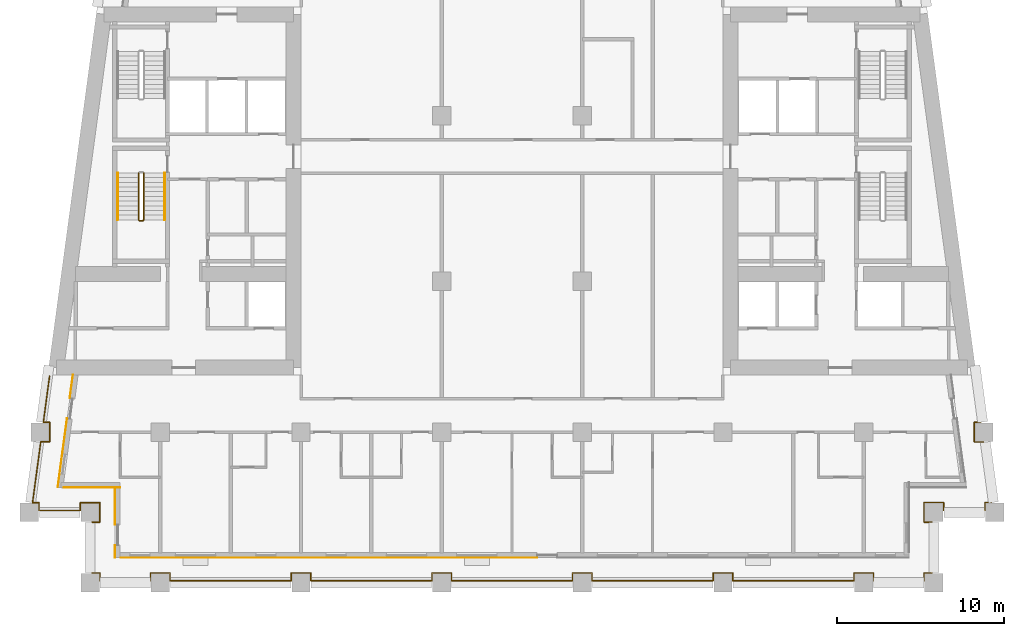
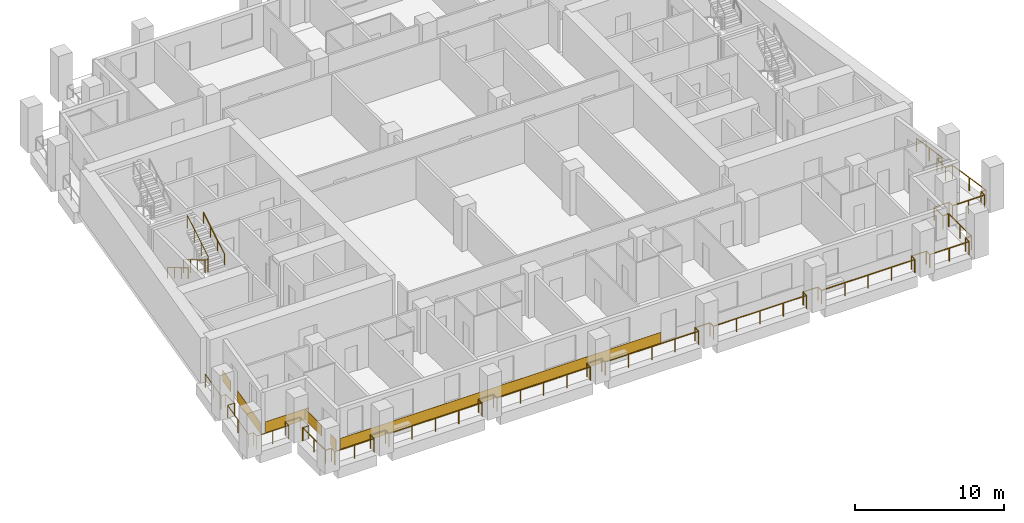
# One storey, part 8 of 12: 6 coverings, 5 railings.
"""IFC4 building model written with IfcOpenShell, lengths in metres."""

from ifc_helpers import new_model, si_unit, direction, frame, origin, origin_2d, place, context, subcontext, project, spatial, rectangle, circle, extrude, material, layer, layer_set, type_object, element, save


model = new_model("IFC4")

# Units and contexts
model_context = context("Model", 3, precision=1e-05, world=origin(), true_north=direction((0.0, 1.0)))
body_context = subcontext(model_context, "Body", "Model", "MODEL_VIEW")
ifc_project = project(units=[si_unit("LENGTHUNIT", "METRE"), si_unit("AREAUNIT", "SQUARE_METRE"), si_unit("VOLUMEUNIT", "CUBIC_METRE"), si_unit("PLANEANGLEUNIT", "RADIAN"), si_unit("MASSUNIT", "GRAM", prefix="KILO")], contexts=[model_context])

# Site, building, storey
site_placement = place(None, origin())
site = spatial("IfcSite", under=ifc_project, at=site_placement, CompositionType="ELEMENT")
building_placement = place(site_placement, origin())
building = spatial("IfcBuilding", under=site, at=building_placement, Name="Candeia Pilgrim Tower and Theatre", CompositionType="ELEMENT")
storey_placement = place(building_placement, frame((0.0, 0.0, 147.800048828125)))
storey = spatial("IfcBuildingStorey", under=building, at=storey_placement, Name="L34", CompositionType="ELEMENT", Elevation=147.800048828125)

# Railings
ifc_material_1 = material(Name="Stainless steel balustrade", Category="steel")
railing_type_1 = type_object("IfcRailingType", Name="G1 loggia guard 1100", PredefinedType="GUARDRAIL", material=ifc_material_1)
railing_1_placement = place(storey_placement, frame((88.320068359375, 101.6201171875, 0.0)))
element("IfcRailing", 1, at=railing_1_placement, inside=storey, type_object=railing_type_1, Name="Guard L34.1", PredefinedType="GUARDRAIL", context=body_context, shape_type="SweptSolid", body=[
    extrude(circle(Radius=0.02392578125, at=origin_2d()), frame((0.0, 0.0, 1.076171875), z_axis=(1.0, 0.0, 0.0), x_axis=(0.0, 1.0, 0.0)), (0.0, 0.0, 1.0), 0.4599609375),
    extrude(circle(Radius=0.02392578125, at=origin_2d()), frame((0.4599609375, 0.0, 1.076171875), z_axis=(0.0, 1.0, 0.0), x_axis=(-1.0, 0.0, 0.0)), (0.0, 0.0, 1.0), 1.159912109375),
    extrude(circle(Radius=0.02392578125, at=origin_2d()), frame((0.4599609375, 1.159912109375, 1.076171875), z_axis=(-1.0, 0.0, 0.0), x_axis=(0.0, -1.0, 0.0)), (0.0, 0.0, 1.0), 1.159912109375),
    extrude(circle(Radius=0.02392578125, at=origin_2d()), frame((-0.699951171875, 1.159912109375, 1.076171875), z_axis=(0.0, -1.0, 0.0), x_axis=(1.0, 0.0, 0.0)), (0.0, 0.0, 1.0), 0.4599609375),
    extrude(circle(Radius=0.02392578125, at=origin_2d()), frame((-0.699951171875, 0.699951171875, 1.076171875), z_axis=(-1.0, 0.0, 0.0), x_axis=(0.0, -1.0, 0.0)), (0.0, 0.0, 1.0), 2.474853515625),
    extrude(circle(Radius=0.02392578125, at=origin_2d()), frame((-3.1748046875, 0.699951171875, 1.076171875), z_axis=(0.0, 1.0, 0.0), x_axis=(-1.0, 0.0, 0.0)), (0.0, 0.0, 1.0), 0.4599609375),
    extrude(circle(Radius=0.02392578125, at=origin_2d()), frame((-3.1748046875, 1.159912109375, 1.076171875), z_axis=(-1.0, 0.0, 0.0), x_axis=(0.0, -1.0, 0.0)), (0.0, 0.0, 1.0), 0.380615234375),
    extrude(circle(Radius=0.02392578125, at=origin_2d()), frame((-3.555419921875, 1.159912109375, 1.076171875), z_axis=(0.133413267734, 0.9910604926, 0.0), x_axis=(-0.9910604926, 0.133413267734, 0.0)), (0.0, 0.0, 1.0), 3.672607421875),
    extrude(circle(Radius=0.02392578125, at=origin_2d()), frame((-3.0654296875, 4.7998046875, 1.076171875), z_axis=(1.0, 0.0, 0.0), x_axis=(0.0, 1.0, 0.0)), (0.0, 0.0, 1.0), 0.536865234375),
    extrude(circle(Radius=0.02392578125, at=origin_2d()), frame((-2.528564453125, 4.7998046875, 1.076171875), z_axis=(0.0, 1.0, 0.0), x_axis=(-1.0, 0.0, 0.0)), (0.0, 0.0, 1.0), 1.16015625),
    extrude(circle(Radius=0.02392578125, at=origin_2d()), frame((-2.528564453125, 5.9599609375, 1.076171875), z_axis=(-1.0, 0.0, 0.0), x_axis=(0.0, -1.0, 0.0)), (0.0, 0.0, 1.0), 0.380859375),
    extrude(circle(Radius=0.02392578125, at=origin_2d()), frame((-2.909423828125, 5.9599609375, 1.076171875), z_axis=(0.133468107709, 0.99105310868, 0.0), x_axis=(-0.99105310868, 0.133468107709, 0.0)), (0.0, 0.0, 1.0), 2.794921875),
    extrude(circle(Radius=0.02099609375, at=origin_2d()), origin(), (0.0, 0.0, 1.0), 1.052001953125),
    extrude(circle(Radius=0.02099609375, at=origin_2d()), frame((0.4599609375, 0.0, 0.0)), (0.0, 0.0, 1.0), 1.052001953125),
    extrude(circle(Radius=0.02099609375, at=origin_2d()), frame((0.4599609375, 1.159912109375, 0.0)), (0.0, 0.0, 1.0), 1.052001953125),
    extrude(circle(Radius=0.02099609375, at=origin_2d()), frame((-0.699951171875, 1.159912109375, 0.0)), (0.0, 0.0, 1.0), 1.052001953125),
    extrude(circle(Radius=0.02099609375, at=origin_2d()), frame((-0.699951171875, 0.699951171875, 0.0)), (0.0, 0.0, 1.0), 1.052001953125),
    extrude(circle(Radius=0.02099609375, at=origin_2d()), frame((-1.9375, 0.699951171875, 0.0)), (0.0, 0.0, 1.0), 1.052001953125),
    extrude(circle(Radius=0.02099609375, at=origin_2d()), frame((-3.1748046875, 0.699951171875, 0.0)), (0.0, 0.0, 1.0), 1.052001953125),
    extrude(circle(Radius=0.02099609375, at=origin_2d()), frame((-3.1748046875, 1.159912109375, 0.0)), (0.0, 0.0, 1.0), 1.052001953125),
    extrude(circle(Radius=0.02099609375, at=origin_2d()), frame((-3.555419921875, 1.159912109375, 0.0)), (0.0, 0.0, 1.0), 1.052001953125),
    extrude(circle(Radius=0.02099609375, at=origin_2d()), frame((-3.310546875, 2.97998046875, 0.0)), (0.0, 0.0, 1.0), 1.052001953125),
    extrude(circle(Radius=0.02099609375, at=origin_2d()), frame((-3.0654296875, 4.7998046875, 0.0)), (0.0, 0.0, 1.0), 1.052001953125),
    extrude(circle(Radius=0.02099609375, at=origin_2d()), frame((-2.528564453125, 4.7998046875, 0.0)), (0.0, 0.0, 1.0), 1.052001953125),
    extrude(circle(Radius=0.02099609375, at=origin_2d()), frame((-2.528564453125, 5.9599609375, 0.0)), (0.0, 0.0, 1.0), 1.052001953125),
    extrude(circle(Radius=0.02099609375, at=origin_2d()), frame((-2.909423828125, 5.9599609375, 0.0)), (0.0, 0.0, 1.0), 1.052001953125),
    extrude(circle(Radius=0.02099609375, at=origin_2d()), frame((-2.722900390625, 7.344970703125, 0.0)), (0.0, 0.0, 1.0), 1.052001953125),
    extrude(circle(Radius=0.02099609375, at=origin_2d()), frame((-2.536376953125, 8.72998046875, 0.0)), (0.0, 0.0, 1.0), 1.052001953125),
])
railing_2_placement = place(storey_placement, frame((141.016357421875, 110.35009765625, 0.0)))
element("IfcRailing", 2, at=railing_2_placement, inside=storey, type_object=railing_type_1, Name="Guard L34.4", PredefinedType="GUARDRAIL", context=body_context, shape_type="SweptSolid", body=[
    extrude(circle(Radius=0.02392578125, at=origin_2d()), frame((0.0, 0.0, 1.076171875), z_axis=(0.133468107709, -0.99105310868, 0.0), x_axis=(0.99105310868, 0.133468107709, 0.0)), (0.0, 0.0, 1.0), 2.794921875),
    extrude(circle(Radius=0.02392578125, at=origin_2d()), frame((0.373046875, -2.77001953125, 1.076171875), z_axis=(-1.0, 0.0, 0.0), x_axis=(0.0, -1.0, 0.0)), (0.0, 0.0, 1.0), 0.380859375),
    extrude(circle(Radius=0.02392578125, at=origin_2d()), frame((-0.0078125, -2.77001953125, 1.076171875), z_axis=(0.0, -1.0, 0.0), x_axis=(1.0, 0.0, 0.0)), (0.0, 0.0, 1.0), 1.16015625),
    extrude(circle(Radius=0.02392578125, at=origin_2d()), frame((-0.0078125, -3.93017578125, 1.076171875), z_axis=(1.0, 0.0, 0.0), x_axis=(0.0, 1.0, 0.0)), (0.0, 0.0, 1.0), 0.536865234375),
    extrude(circle(Radius=0.02392578125, at=origin_2d()), frame((0.529052734375, -3.93017578125, 1.076171875), z_axis=(0.133413267734, -0.9910604926, 0.0), x_axis=(0.9910604926, 0.133413267734, 0.0)), (0.0, 0.0, 1.0), 3.672607421875),
    extrude(circle(Radius=0.02392578125, at=origin_2d()), frame((1.01904296875, -7.570068359375, 1.076171875), z_axis=(-1.0, 0.0, 0.0), x_axis=(0.0, -1.0, 0.0)), (0.0, 0.0, 1.0), 0.380859375),
    extrude(circle(Radius=0.02392578125, at=origin_2d()), frame((0.63818359375, -7.570068359375, 1.076171875), z_axis=(0.0, -1.0, 0.0), x_axis=(1.0, 0.0, 0.0)), (0.0, 0.0, 1.0), 0.4599609375),
    extrude(circle(Radius=0.02392578125, at=origin_2d()), frame((0.63818359375, -8.030029296875, 1.076171875), z_axis=(-1.0, 0.0, 0.0), x_axis=(0.0, -1.0, 0.0)), (0.0, 0.0, 1.0), 2.474609375),
    extrude(circle(Radius=0.02392578125, at=origin_2d()), frame((-1.83642578125, -8.030029296875, 1.076171875), z_axis=(0.0, 1.0, 0.0), x_axis=(-1.0, 0.0, 0.0)), (0.0, 0.0, 1.0), 0.4599609375),
    extrude(circle(Radius=0.02392578125, at=origin_2d()), frame((-1.83642578125, -7.570068359375, 1.076171875), z_axis=(-1.0, 0.0, 0.0), x_axis=(0.0, -1.0, 0.0)), (0.0, 0.0, 1.0), 1.159912109375),
    extrude(circle(Radius=0.02392578125, at=origin_2d()), frame((-2.996337890625, -7.570068359375, 1.076171875), z_axis=(0.0, -1.0, 0.0), x_axis=(1.0, 0.0, 0.0)), (0.0, 0.0, 1.0), 1.159912109375),
    extrude(circle(Radius=0.02392578125, at=origin_2d()), frame((-2.996337890625, -8.72998046875, 1.076171875), z_axis=(1.0, 0.0, 0.0), x_axis=(0.0, 1.0, 0.0)), (0.0, 0.0, 1.0), 0.4599609375),
    extrude(circle(Radius=0.02392578125, at=origin_2d()), frame((-2.536376953125, -8.72998046875, 1.076171875), z_axis=(0.0, -1.0, 0.0), x_axis=(1.0, 0.0, 0.0)), (0.0, 0.0, 1.0), 3.0400390625),
    extrude(circle(Radius=0.02392578125, at=origin_2d()), frame((-2.536376953125, -11.77001953125, 1.076171875), z_axis=(-1.0, 0.0, 0.0), x_axis=(0.0, -1.0, 0.0)), (0.0, 0.0, 1.0), 0.4599609375),
    extrude(circle(Radius=0.02392578125, at=origin_2d()), frame((-2.996337890625, -11.77001953125, 1.076171875), z_axis=(0.0, -1.0, 0.0), x_axis=(1.0, 0.0, 0.0)), (0.0, 0.0, 1.0), 0.4599609375),
    extrude(circle(Radius=0.02392578125, at=origin_2d()), frame((-2.996337890625, -12.22998046875, 1.076171875), z_axis=(-1.0, 0.0, 0.0), x_axis=(0.0, -1.0, 0.0)), (0.0, 0.0, 1.0), 3.0400390625),
    extrude(circle(Radius=0.02392578125, at=origin_2d()), frame((-6.036376953125, -12.22998046875, 1.076171875), z_axis=(0.0, 1.0, 0.0), x_axis=(-1.0, 0.0, 0.0)), (0.0, 0.0, 1.0), 0.4599609375),
    extrude(circle(Radius=0.02392578125, at=origin_2d()), frame((-6.036376953125, -11.77001953125, 1.076171875), z_axis=(-1.0, 0.0, 0.0), x_axis=(0.0, -1.0, 0.0)), (0.0, 0.0, 1.0), 1.159912109375),
    extrude(circle(Radius=0.02392578125, at=origin_2d()), frame((-7.1962890625, -11.77001953125, 1.076171875), z_axis=(0.0, -1.0, 0.0), x_axis=(1.0, 0.0, 0.0)), (0.0, 0.0, 1.0), 0.4599609375),
    extrude(circle(Radius=0.02392578125, at=origin_2d()), frame((-7.1962890625, -12.22998046875, 1.076171875), z_axis=(-1.0, 0.0, 0.0), x_axis=(0.0, -1.0, 0.0)), (0.0, 0.0, 1.0), 7.239990234375),
    extrude(circle(Radius=0.02392578125, at=origin_2d()), frame((-14.436279296875, -12.22998046875, 1.076171875), z_axis=(0.0, 1.0, 0.0), x_axis=(-1.0, 0.0, 0.0)), (0.0, 0.0, 1.0), 0.4599609375),
    extrude(circle(Radius=0.02392578125, at=origin_2d()), frame((-14.436279296875, -11.77001953125, 1.076171875), z_axis=(-1.0, 0.0, 0.0), x_axis=(0.0, -1.0, 0.0)), (0.0, 0.0, 1.0), 1.16015625),
    extrude(circle(Radius=0.02392578125, at=origin_2d()), frame((-15.596435546875, -11.77001953125, 1.076171875), z_axis=(0.0, -1.0, 0.0), x_axis=(1.0, 0.0, 0.0)), (0.0, 0.0, 1.0), 0.4599609375),
    extrude(circle(Radius=0.02392578125, at=origin_2d()), frame((-15.596435546875, -12.22998046875, 1.076171875), z_axis=(-1.0, 0.0, 0.0), x_axis=(0.0, -1.0, 0.0)), (0.0, 0.0, 1.0), 7.239990234375),
    extrude(circle(Radius=0.02392578125, at=origin_2d()), frame((-22.83642578125, -12.22998046875, 1.076171875), z_axis=(0.0, 1.0, 0.0), x_axis=(-1.0, 0.0, 0.0)), (0.0, 0.0, 1.0), 0.4599609375),
    extrude(circle(Radius=0.02392578125, at=origin_2d()), frame((-22.83642578125, -11.77001953125, 1.076171875), z_axis=(-1.0, 0.0, 0.0), x_axis=(0.0, -1.0, 0.0)), (0.0, 0.0, 1.0), 1.159912109375),
    extrude(circle(Radius=0.02392578125, at=origin_2d()), frame((-23.996337890625, -11.77001953125, 1.076171875), z_axis=(0.0, -1.0, 0.0), x_axis=(1.0, 0.0, 0.0)), (0.0, 0.0, 1.0), 0.4599609375),
    extrude(circle(Radius=0.02392578125, at=origin_2d()), frame((-23.996337890625, -12.22998046875, 1.076171875), z_axis=(-1.0, 0.0, 0.0), x_axis=(0.0, -1.0, 0.0)), (0.0, 0.0, 1.0), 7.239990234375),
    extrude(circle(Radius=0.02392578125, at=origin_2d()), frame((-31.236328125, -12.22998046875, 1.076171875), z_axis=(0.0, 1.0, 0.0), x_axis=(-1.0, 0.0, 0.0)), (0.0, 0.0, 1.0), 0.4599609375),
    extrude(circle(Radius=0.02392578125, at=origin_2d()), frame((-31.236328125, -11.77001953125, 1.076171875), z_axis=(-1.0, 0.0, 0.0), x_axis=(0.0, -1.0, 0.0)), (0.0, 0.0, 1.0), 1.159912109375),
    extrude(circle(Radius=0.02392578125, at=origin_2d()), frame((-32.396240234375, -11.77001953125, 1.076171875), z_axis=(0.0, -1.0, 0.0), x_axis=(1.0, 0.0, 0.0)), (0.0, 0.0, 1.0), 0.4599609375),
    extrude(circle(Radius=0.02392578125, at=origin_2d()), frame((-32.396240234375, -12.22998046875, 1.076171875), z_axis=(-1.0, 0.0, 0.0), x_axis=(0.0, -1.0, 0.0)), (0.0, 0.0, 1.0), 7.240234375),
    extrude(circle(Radius=0.02392578125, at=origin_2d()), frame((-39.636474609375, -12.22998046875, 1.076171875), z_axis=(0.0, 1.0, 0.0), x_axis=(-1.0, 0.0, 0.0)), (0.0, 0.0, 1.0), 0.4599609375),
    extrude(circle(Radius=0.02392578125, at=origin_2d()), frame((-39.636474609375, -11.77001953125, 1.076171875), z_axis=(-1.0, 0.0, 0.0), x_axis=(0.0, -1.0, 0.0)), (0.0, 0.0, 1.0), 1.159912109375),
    extrude(circle(Radius=0.02392578125, at=origin_2d()), frame((-40.79638671875, -11.77001953125, 1.076171875), z_axis=(0.0, -1.0, 0.0), x_axis=(1.0, 0.0, 0.0)), (0.0, 0.0, 1.0), 0.4599609375),
    extrude(circle(Radius=0.02392578125, at=origin_2d()), frame((-40.79638671875, -12.22998046875, 1.076171875), z_axis=(-1.0, 0.0, 0.0), x_axis=(0.0, -1.0, 0.0)), (0.0, 0.0, 1.0), 7.239990234375),
    extrude(circle(Radius=0.02392578125, at=origin_2d()), frame((-48.036376953125, -12.22998046875, 1.076171875), z_axis=(0.0, 1.0, 0.0), x_axis=(-1.0, 0.0, 0.0)), (0.0, 0.0, 1.0), 0.4599609375),
    extrude(circle(Radius=0.02392578125, at=origin_2d()), frame((-48.036376953125, -11.77001953125, 1.076171875), z_axis=(-1.0, 0.0, 0.0), x_axis=(0.0, -1.0, 0.0)), (0.0, 0.0, 1.0), 1.159912109375),
    extrude(circle(Radius=0.02392578125, at=origin_2d()), frame((-49.1962890625, -11.77001953125, 1.076171875), z_axis=(0.0, -1.0, 0.0), x_axis=(1.0, 0.0, 0.0)), (0.0, 0.0, 1.0), 0.4599609375),
    extrude(circle(Radius=0.02392578125, at=origin_2d()), frame((-49.1962890625, -12.22998046875, 1.076171875), z_axis=(-1.0, 0.0, 0.0), x_axis=(0.0, -1.0, 0.0)), (0.0, 0.0, 1.0), 3.0400390625),
    extrude(circle(Radius=0.02392578125, at=origin_2d()), frame((-52.236328125, -12.22998046875, 1.076171875), z_axis=(0.0, 1.0, 0.0), x_axis=(-1.0, 0.0, 0.0)), (0.0, 0.0, 1.0), 0.4599609375),
    extrude(circle(Radius=0.02392578125, at=origin_2d()), frame((-52.236328125, -11.77001953125, 1.076171875), z_axis=(-1.0, 0.0, 0.0), x_axis=(0.0, -1.0, 0.0)), (0.0, 0.0, 1.0), 0.4599609375),
    extrude(circle(Radius=0.02392578125, at=origin_2d()), frame((-52.6962890625, -11.77001953125, 1.076171875), z_axis=(0.0, 1.0, 0.0), x_axis=(-1.0, 0.0, 0.0)), (0.0, 0.0, 1.0), 3.0400390625),
    extrude(circle(Radius=0.02099609375, at=origin_2d()), origin(), (0.0, 0.0, 1.0), 1.052001953125),
    extrude(circle(Radius=0.02099609375, at=origin_2d()), frame((0.1865234375, -1.385009765625, 0.0)), (0.0, 0.0, 1.0), 1.052001953125),
    extrude(circle(Radius=0.02099609375, at=origin_2d()), frame((0.373046875, -2.77001953125, 0.0)), (0.0, 0.0, 1.0), 1.052001953125),
    extrude(circle(Radius=0.02099609375, at=origin_2d()), frame((-0.0078125, -2.77001953125, 0.0)), (0.0, 0.0, 1.0), 1.052001953125),
    extrude(circle(Radius=0.02099609375, at=origin_2d()), frame((-0.0078125, -3.93017578125, 0.0)), (0.0, 0.0, 1.0), 1.052001953125),
    extrude(circle(Radius=0.02099609375, at=origin_2d()), frame((0.529052734375, -3.93017578125, 0.0)), (0.0, 0.0, 1.0), 1.052001953125),
    extrude(circle(Radius=0.02099609375, at=origin_2d()), frame((0.77392578125, -5.75, 0.0)), (0.0, 0.0, 1.0), 1.052001953125),
    extrude(circle(Radius=0.02099609375, at=origin_2d()), frame((1.01904296875, -7.570068359375, 0.0)), (0.0, 0.0, 1.0), 1.052001953125),
    extrude(circle(Radius=0.02099609375, at=origin_2d()), frame((0.63818359375, -7.570068359375, 0.0)), (0.0, 0.0, 1.0), 1.052001953125),
    extrude(circle(Radius=0.02099609375, at=origin_2d()), frame((0.63818359375, -8.030029296875, 0.0)), (0.0, 0.0, 1.0), 1.052001953125),
    extrude(circle(Radius=0.02099609375, at=origin_2d()), frame((-0.59912109375, -8.030029296875, 0.0)), (0.0, 0.0, 1.0), 1.052001953125),
    extrude(circle(Radius=0.02099609375, at=origin_2d()), frame((-1.83642578125, -8.030029296875, 0.0)), (0.0, 0.0, 1.0), 1.052001953125),
    extrude(circle(Radius=0.02099609375, at=origin_2d()), frame((-1.83642578125, -7.570068359375, 0.0)), (0.0, 0.0, 1.0), 1.052001953125),
    extrude(circle(Radius=0.02099609375, at=origin_2d()), frame((-2.996337890625, -7.570068359375, 0.0)), (0.0, 0.0, 1.0), 1.052001953125),
    extrude(circle(Radius=0.02099609375, at=origin_2d()), frame((-2.996337890625, -8.72998046875, 0.0)), (0.0, 0.0, 1.0), 1.052001953125),
    extrude(circle(Radius=0.02099609375, at=origin_2d()), frame((-2.536376953125, -8.72998046875, 0.0)), (0.0, 0.0, 1.0), 1.052001953125),
    extrude(circle(Radius=0.02099609375, at=origin_2d()), frame((-2.536376953125, -10.25, 0.0)), (0.0, 0.0, 1.0), 1.052001953125),
    extrude(circle(Radius=0.02099609375, at=origin_2d()), frame((-2.536376953125, -11.77001953125, 0.0)), (0.0, 0.0, 1.0), 1.052001953125),
    extrude(circle(Radius=0.02099609375, at=origin_2d()), frame((-2.996337890625, -11.77001953125, 0.0)), (0.0, 0.0, 1.0), 1.052001953125),
    extrude(circle(Radius=0.02099609375, at=origin_2d()), frame((-2.996337890625, -12.22998046875, 0.0)), (0.0, 0.0, 1.0), 1.052001953125),
    extrude(circle(Radius=0.02099609375, at=origin_2d()), frame((-4.516357421875, -12.22998046875, 0.0)), (0.0, 0.0, 1.0), 1.052001953125),
    extrude(circle(Radius=0.02099609375, at=origin_2d()), frame((-6.036376953125, -12.22998046875, 0.0)), (0.0, 0.0, 1.0), 1.052001953125),
    extrude(circle(Radius=0.02099609375, at=origin_2d()), frame((-6.036376953125, -11.77001953125, 0.0)), (0.0, 0.0, 1.0), 1.052001953125),
    extrude(circle(Radius=0.02099609375, at=origin_2d()), frame((-7.1962890625, -11.77001953125, 0.0)), (0.0, 0.0, 1.0), 1.052001953125),
    extrude(circle(Radius=0.02099609375, at=origin_2d()), frame((-7.1962890625, -12.22998046875, 0.0)), (0.0, 0.0, 1.0), 1.052001953125),
    extrude(circle(Radius=0.02099609375, at=origin_2d()), frame((-9.00634765625, -12.22998046875, 0.0)), (0.0, 0.0, 1.0), 1.052001953125),
    extrude(circle(Radius=0.02099609375, at=origin_2d()), frame((-10.81640625, -12.22998046875, 0.0)), (0.0, 0.0, 1.0), 1.052001953125),
    extrude(circle(Radius=0.02099609375, at=origin_2d()), frame((-12.626220703125, -12.22998046875, 0.0)), (0.0, 0.0, 1.0), 1.052001953125),
    extrude(circle(Radius=0.02099609375, at=origin_2d()), frame((-14.436279296875, -12.22998046875, 0.0)), (0.0, 0.0, 1.0), 1.052001953125),
    extrude(circle(Radius=0.02099609375, at=origin_2d()), frame((-14.436279296875, -11.77001953125, 0.0)), (0.0, 0.0, 1.0), 1.052001953125),
    extrude(circle(Radius=0.02099609375, at=origin_2d()), frame((-15.596435546875, -11.77001953125, 0.0)), (0.0, 0.0, 1.0), 1.052001953125),
    extrude(circle(Radius=0.02099609375, at=origin_2d()), frame((-15.596435546875, -12.22998046875, 0.0)), (0.0, 0.0, 1.0), 1.052001953125),
    extrude(circle(Radius=0.02099609375, at=origin_2d()), frame((-17.406494140625, -12.22998046875, 0.0)), (0.0, 0.0, 1.0), 1.052001953125),
    extrude(circle(Radius=0.02099609375, at=origin_2d()), frame((-19.21630859375, -12.22998046875, 0.0)), (0.0, 0.0, 1.0), 1.052001953125),
    extrude(circle(Radius=0.02099609375, at=origin_2d()), frame((-21.0263671875, -12.22998046875, 0.0)), (0.0, 0.0, 1.0), 1.052001953125),
    extrude(circle(Radius=0.02099609375, at=origin_2d()), frame((-22.83642578125, -12.22998046875, 0.0)), (0.0, 0.0, 1.0), 1.052001953125),
    extrude(circle(Radius=0.02099609375, at=origin_2d()), frame((-22.83642578125, -11.77001953125, 0.0)), (0.0, 0.0, 1.0), 1.052001953125),
    extrude(circle(Radius=0.02099609375, at=origin_2d()), frame((-23.996337890625, -11.77001953125, 0.0)), (0.0, 0.0, 1.0), 1.052001953125),
    extrude(circle(Radius=0.02099609375, at=origin_2d()), frame((-23.996337890625, -12.22998046875, 0.0)), (0.0, 0.0, 1.0), 1.052001953125),
    extrude(circle(Radius=0.02099609375, at=origin_2d()), frame((-25.806396484375, -12.22998046875, 0.0)), (0.0, 0.0, 1.0), 1.052001953125),
    extrude(circle(Radius=0.02099609375, at=origin_2d()), frame((-27.6162109375, -12.22998046875, 0.0)), (0.0, 0.0, 1.0), 1.052001953125),
    extrude(circle(Radius=0.02099609375, at=origin_2d()), frame((-29.42626953125, -12.22998046875, 0.0)), (0.0, 0.0, 1.0), 1.052001953125),
    extrude(circle(Radius=0.02099609375, at=origin_2d()), frame((-31.236328125, -12.22998046875, 0.0)), (0.0, 0.0, 1.0), 1.052001953125),
    extrude(circle(Radius=0.02099609375, at=origin_2d()), frame((-31.236328125, -11.77001953125, 0.0)), (0.0, 0.0, 1.0), 1.052001953125),
    extrude(circle(Radius=0.02099609375, at=origin_2d()), frame((-32.396240234375, -11.77001953125, 0.0)), (0.0, 0.0, 1.0), 1.052001953125),
    extrude(circle(Radius=0.02099609375, at=origin_2d()), frame((-32.396240234375, -12.22998046875, 0.0)), (0.0, 0.0, 1.0), 1.052001953125),
    extrude(circle(Radius=0.02099609375, at=origin_2d()), frame((-34.206298828125, -12.22998046875, 0.0)), (0.0, 0.0, 1.0), 1.052001953125),
    extrude(circle(Radius=0.02099609375, at=origin_2d()), frame((-36.016357421875, -12.22998046875, 0.0)), (0.0, 0.0, 1.0), 1.052001953125),
    extrude(circle(Radius=0.02099609375, at=origin_2d()), frame((-37.826416015625, -12.22998046875, 0.0)), (0.0, 0.0, 1.0), 1.052001953125),
    extrude(circle(Radius=0.02099609375, at=origin_2d()), frame((-39.636474609375, -12.22998046875, 0.0)), (0.0, 0.0, 1.0), 1.052001953125),
    extrude(circle(Radius=0.02099609375, at=origin_2d()), frame((-39.636474609375, -11.77001953125, 0.0)), (0.0, 0.0, 1.0), 1.052001953125),
    extrude(circle(Radius=0.02099609375, at=origin_2d()), frame((-40.79638671875, -11.77001953125, 0.0)), (0.0, 0.0, 1.0), 1.052001953125),
    extrude(circle(Radius=0.02099609375, at=origin_2d()), frame((-40.79638671875, -12.22998046875, 0.0)), (0.0, 0.0, 1.0), 1.052001953125),
    extrude(circle(Radius=0.02099609375, at=origin_2d()), frame((-42.6064453125, -12.22998046875, 0.0)), (0.0, 0.0, 1.0), 1.052001953125),
    extrude(circle(Radius=0.02099609375, at=origin_2d()), frame((-44.41650390625, -12.22998046875, 0.0)), (0.0, 0.0, 1.0), 1.052001953125),
    extrude(circle(Radius=0.02099609375, at=origin_2d()), frame((-46.226318359375, -12.22998046875, 0.0)), (0.0, 0.0, 1.0), 1.052001953125),
    extrude(circle(Radius=0.02099609375, at=origin_2d()), frame((-48.036376953125, -12.22998046875, 0.0)), (0.0, 0.0, 1.0), 1.052001953125),
    extrude(circle(Radius=0.02099609375, at=origin_2d()), frame((-48.036376953125, -11.77001953125, 0.0)), (0.0, 0.0, 1.0), 1.052001953125),
    extrude(circle(Radius=0.02099609375, at=origin_2d()), frame((-49.1962890625, -11.77001953125, 0.0)), (0.0, 0.0, 1.0), 1.052001953125),
    extrude(circle(Radius=0.02099609375, at=origin_2d()), frame((-49.1962890625, -12.22998046875, 0.0)), (0.0, 0.0, 1.0), 1.052001953125),
    extrude(circle(Radius=0.02099609375, at=origin_2d()), frame((-50.71630859375, -12.22998046875, 0.0)), (0.0, 0.0, 1.0), 1.052001953125),
    extrude(circle(Radius=0.02099609375, at=origin_2d()), frame((-52.236328125, -12.22998046875, 0.0)), (0.0, 0.0, 1.0), 1.052001953125),
    extrude(circle(Radius=0.02099609375, at=origin_2d()), frame((-52.236328125, -11.77001953125, 0.0)), (0.0, 0.0, 1.0), 1.052001953125),
    extrude(circle(Radius=0.02099609375, at=origin_2d()), frame((-52.6962890625, -11.77001953125, 0.0)), (0.0, 0.0, 1.0), 1.052001953125),
    extrude(circle(Radius=0.02099609375, at=origin_2d()), frame((-52.6962890625, -10.25, 0.0)), (0.0, 0.0, 1.0), 1.052001953125),
    extrude(circle(Radius=0.02099609375, at=origin_2d()), frame((-52.6962890625, -8.72998046875, 0.0)), (0.0, 0.0, 1.0), 1.052001953125),
])

# Coverings
ifc_material_2 = material(Name="Glazed ceramic tile rust")
ifc_layer = layer(ifc_material_2, 0.02001953125)
ifc_layer_set = layer_set([ifc_layer], Name="Glazed ceramic tile rust")
covering_type = type_object("IfcCoveringType", Name="Glazed ceramic tile rust", PredefinedType="CLADDING", material=ifc_layer_set)
covering_1_placement = place(storey_placement, frame((102.4599609375, 99.489990234375, 0.0), z_axis=(0.0, 0.0, 1.0), x_axis=(1.0, 0.0, 0.0)))
element("IfcCovering", 3, at=covering_1_placement, inside=storey, type_object=covering_type, Name="Tile cladding rust L34", PredefinedType="CLADDING", context=body_context, shape_type="SweptSolid", body=[
    extrude(rectangle(XDim=24.8798828125, YDim=0.02001953125, at=origin_2d()), origin(), (0.0, 0.0, 1.0), 0.89990234375),
])
covering_2_placement = place(storey_placement, frame((87.0810546875, 109.71875, 0.0), z_axis=(0.0, 0.0, 1.0), x_axis=(-0.133412012145, -0.991060661622, 0.0)))
element("IfcCovering", 4, at=covering_2_placement, inside=storey, type_object=covering_type, Name="Tile cladding rust L34", PredefinedType="CLADDING", context=body_context, shape_type="SweptSolid", body=[
    extrude(rectangle(XDim=1.41796875, YDim=0.02001953125, at=origin_2d()), origin(), (0.0, 0.0, 1.0), 0.89990234375),
])
covering_3_placement = place(storey_placement, frame((86.548583984375, 105.763916015625, 0.0), z_axis=(0.0, 0.0, 1.0), x_axis=(-0.133412012145, -0.991060661622, 0.0)))
element("IfcCovering", 5, at=covering_3_placement, inside=storey, type_object=covering_type, Name="Tile cladding rust L34", PredefinedType="CLADDING", context=body_context, shape_type="SweptSolid", body=[
    extrude(rectangle(XDim=4.16259765625, YDim=0.02001953125, at=origin_2d()), origin(), (0.0, 0.0, 1.0), 0.89990234375),
])
covering_4_placement = place(storey_placement, frame((88.311279296875, 103.68994140625, 0.0), z_axis=(0.0, 0.0, 1.0), x_axis=(1.0, 0.0, 0.0)))
element("IfcCovering", 6, at=covering_4_placement, inside=storey, type_object=covering_type, Name="Tile cladding rust L34", PredefinedType="CLADDING", context=body_context, shape_type="SweptSolid", body=[
    extrude(rectangle(XDim=3.377685546875, YDim=0.02001953125, at=origin_2d()), origin(), (0.0, 0.0, 1.0), 0.89990234375),
])
covering_5_placement = place(storey_placement, frame((89.68994140625, 102.56494140625, 0.0), z_axis=(0.0, 0.0, 1.0), x_axis=(0.0, -1.0, 0.0)))
element("IfcCovering", 7, at=covering_5_placement, inside=storey, type_object=covering_type, Name="Tile cladding rust L34", PredefinedType="CLADDING", context=body_context, shape_type="SweptSolid", body=[
    extrude(rectangle(XDim=2.22998046875, YDim=0.02001953125, at=origin_2d()), origin(), (0.0, 0.0, 1.0), 0.89990234375),
])
covering_6_placement = place(storey_placement, frame((89.68994140625, 99.875, 0.0), z_axis=(0.0, 0.0, 1.0), x_axis=(0.0, -1.0, 0.0)))
element("IfcCovering", 8, at=covering_6_placement, inside=storey, type_object=covering_type, Name="Tile cladding rust L34", PredefinedType="CLADDING", context=body_context, shape_type="SweptSolid", body=[
    extrude(rectangle(XDim=0.75, YDim=0.02001953125, at=origin_2d()), origin(), (0.0, 0.0, 1.0), 0.89990234375),
])

# Railings
railing_type_2 = type_object("IfcRailingType", Name="RL-GUARD-1100", PredefinedType="GUARDRAIL", material=ifc_material_1)
railing_3_placement = place(storey_placement, frame((91.10205078125, 122.47509765625, 0.168212890625)))
element("IfcRailing", 9, at=railing_3_placement, inside=storey, type_object=railing_type_2, Name="L34 ST1 stair guard 1", PredefinedType="GUARDRAIL", context=body_context, shape_type="SweptSolid", body=[
    extrude(circle(Radius=0.02392578125, at=origin_2d()), frame((0.0, 0.0, 1.076171875), z_axis=(0.0, -0.857275202839, 0.514858452973), x_axis=(1.0, 0.0, 0.0)), (0.0, 0.0, 1.0), 3.26611328125),
    extrude(circle(Radius=0.02392578125, at=origin_2d()), frame((0.0, -2.800048828125, 2.7578125), z_axis=(0.707106781187, -0.707106781187, 0.0), x_axis=(0.707106781187, 0.707106781187, 0.0)), (0.0, 0.0, 1.0), 0.07080078125),
    extrude(circle(Radius=0.02392578125, at=origin_2d()), frame((0.050048828125, -2.85009765625, 2.7578125), z_axis=(1.0, 0.0, 0.0), x_axis=(0.0, 1.0, 0.0)), (0.0, 0.0, 1.0), 0.199951171875),
    extrude(circle(Radius=0.02392578125, at=origin_2d()), frame((0.25, -2.85009765625, 2.7578125), z_axis=(0.274243871929, 0.274243871929, 0.92172696468), x_axis=(-0.707106781187, 0.707106781187, 0.0)), (0.0, 0.0, 1.0), 0.1826171875),
    extrude(circle(Radius=0.02392578125, at=origin_2d()), frame((0.300048828125, -2.800048828125, 2.92578125), z_axis=(0.0, 0.857242210791, 0.514913383045), x_axis=(-1.0, 0.0, 0.0)), (0.0, 0.0, 1.0), 3.266357421875),
    extrude(circle(Radius=0.02099609375, at=origin_2d()), origin(), (0.0, 0.0, 1.0), 1.052001953125),
    extrude(circle(Radius=0.02099609375, at=origin_2d()), frame((0.0, -0.933349609375, 0.560546875)), (0.0, 0.0, 1.0), 1.052001953125),
    extrude(circle(Radius=0.02099609375, at=origin_2d()), frame((0.0, -1.86669921875, 1.12109375)), (0.0, 0.0, 1.0), 1.052001953125),
    extrude(circle(Radius=0.02099609375, at=origin_2d()), frame((0.0, -2.800048828125, 1.681640625)), (0.0, 0.0, 1.0), 1.052001953125),
    extrude(circle(Radius=0.02099609375, at=origin_2d()), frame((0.050048828125, -2.85009765625, 1.681640625)), (0.0, 0.0, 1.0), 1.052001953125),
    extrude(circle(Radius=0.02099609375, at=origin_2d()), frame((0.25, -2.85009765625, 1.681640625)), (0.0, 0.0, 1.0), 1.052001953125),
    extrude(circle(Radius=0.02099609375, at=origin_2d()), frame((0.300048828125, -2.800048828125, 1.849853515625)), (0.0, 0.0, 1.0), 1.052001953125),
    extrude(circle(Radius=0.02099609375, at=origin_2d()), frame((0.300048828125, -1.86669921875, 2.410400390625)), (0.0, 0.0, 1.0), 1.052001953125),
    extrude(circle(Radius=0.02099609375, at=origin_2d()), frame((0.300048828125, -0.933349609375, 2.97119140625)), (0.0, 0.0, 1.0), 1.052001953125),
    extrude(circle(Radius=0.02099609375, at=origin_2d()), frame((0.300048828125, 0.0, 3.53173828125)), (0.0, 0.0, 1.0), 1.052001953125),
])
ifc_material_3 = material(Name="Stainless steel handrail", Category="steel")
railing_type_3 = type_object("IfcRailingType", Name="RL-HANDRAIL-900", PredefinedType="HANDRAIL", material=ifc_material_3)
railing_4_placement = place(storey_placement, frame((89.85205078125, 122.47509765625, 0.168212890625)))
element("IfcRailing", 10, at=railing_4_placement, inside=storey, type_object=railing_type_3, Name="L34 ST1 stair handrail 1", PredefinedType="HANDRAIL", context=body_context, shape_type="SweptSolid", body=[
    extrude(circle(Radius=0.02392578125, at=origin_2d()), frame((0.0, 0.0, 0.8759765625), z_axis=(0.0, -0.857275202839, 0.514858452973), x_axis=(1.0, 0.0, 0.0)), (0.0, 0.0, 1.0), 3.26611328125),
    extrude(circle(Radius=0.02099609375, at=origin_2d()), origin(), (0.0, 0.0, 1.0), 0.851806640625),
    extrude(circle(Radius=0.02099609375, at=origin_2d()), frame((0.0, -0.933349609375, 0.560546875)), (0.0, 0.0, 1.0), 0.851806640625),
    extrude(circle(Radius=0.02099609375, at=origin_2d()), frame((0.0, -1.86669921875, 1.12109375)), (0.0, 0.0, 1.0), 0.851806640625),
    extrude(circle(Radius=0.02099609375, at=origin_2d()), frame((0.0, -2.800048828125, 1.681640625)), (0.0, 0.0, 1.0), 0.851806640625),
])
railing_5_placement = place(storey_placement, frame((92.652099609375, 119.675048828125, 2.01806640625)))
element("IfcRailing", 11, at=railing_5_placement, inside=storey, type_object=railing_type_3, Name="L34 ST1 stair handrail 2", PredefinedType="HANDRAIL", context=body_context, shape_type="SweptSolid", body=[
    extrude(circle(Radius=0.02392578125, at=origin_2d()), frame((0.0, 0.0, 0.8759765625), z_axis=(0.0, 0.857242210791, 0.514913383045), x_axis=(-1.0, 0.0, 0.0)), (0.0, 0.0, 1.0), 3.266357421875),
    extrude(circle(Radius=0.02099609375, at=origin_2d()), origin(), (0.0, 0.0, 1.0), 0.851806640625),
    extrude(circle(Radius=0.02099609375, at=origin_2d()), frame((0.0, 0.933349609375, 0.560546875)), (0.0, 0.0, 1.0), 0.851806640625),
    extrude(circle(Radius=0.02099609375, at=origin_2d()), frame((0.0, 1.86669921875, 1.121337890625)), (0.0, 0.0, 1.0), 0.851806640625),
    extrude(circle(Radius=0.02099609375, at=origin_2d()), frame((0.0, 2.800048828125, 1.681884765625)), (0.0, 0.0, 1.0), 0.851806640625),
])

save(model, "model.ifc")
